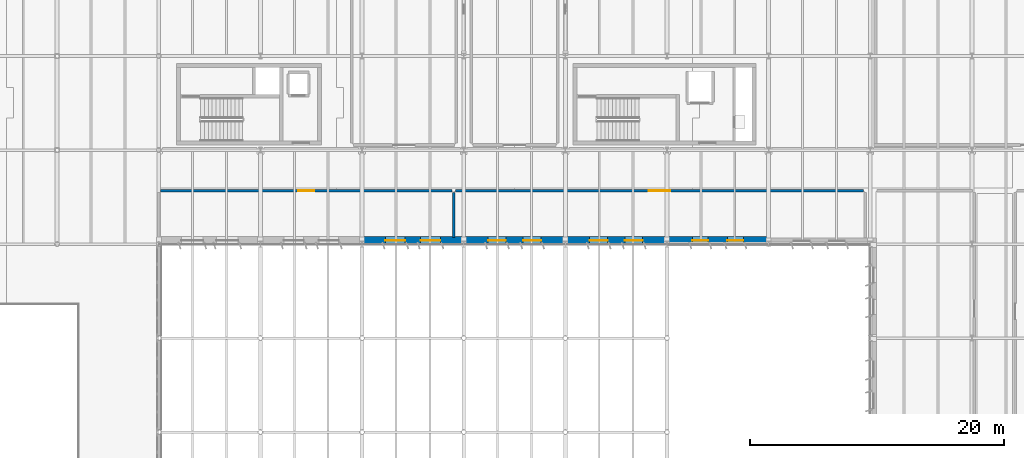
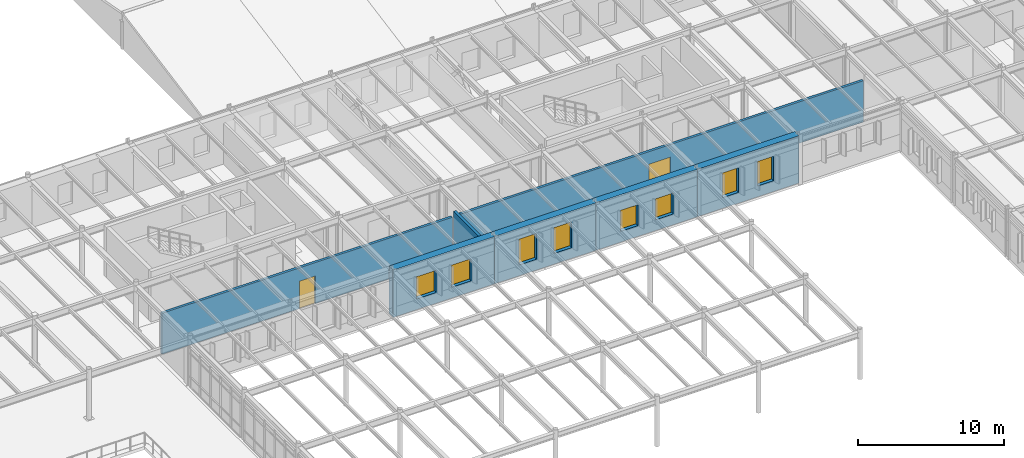
# One storey, part 42 of 63: 8 windows, 7 walls, 2 doors, 10 openings.
"""IFC4 building model written with IfcOpenShell, lengths in metres."""

from ifc_helpers import new_model, si_unit, direction, frame, frame_2d, origin, place, context, subcontext, project, spatial, rectangle, extrude, material, layer, layer_set, type_object, element, fill, save


model = new_model("IFC4")

# Units and contexts
model_context = context("Model", 3, precision=1e-05, world=origin(), true_north=direction((0.0, 1.0)))
body_context = subcontext(model_context, "Body", "Model", "MODEL_VIEW")
ifc_project = project(units=[si_unit("LENGTHUNIT", "METRE"), si_unit("AREAUNIT", "SQUARE_METRE"), si_unit("VOLUMEUNIT", "CUBIC_METRE"), si_unit("PLANEANGLEUNIT", "RADIAN"), si_unit("MASSUNIT", "GRAM", prefix="KILO")], contexts=[model_context])

# Site, building, storey
site_placement = place(None, origin())
site = spatial("IfcSite", under=ifc_project, at=site_placement, CompositionType="ELEMENT")
building_placement = place(site_placement, origin())
building = spatial("IfcBuilding", under=site, at=building_placement, Name="Valkorina Park Police Headquarters", CompositionType="ELEMENT")
storey_placement = place(building_placement, frame((0.0, 0.0, 9.89990234375)))
storey = spatial("IfcBuildingStorey", under=building, at=storey_placement, Name="L03", CompositionType="ELEMENT", Elevation=9.89990234375)

# Wall, opening, door
ifc_material_1 = material(Name="Autoclaved aerated concrete masonry", Category="masonry")
ifc_layer_1 = layer(ifc_material_1, 0.199951171875)
ifc_layer_set_1 = layer_set([ifc_layer_1], Name="Autoclaved aerated concrete masonry")
wall_type_1 = type_object("IfcWallType", Name="WL-CORR-200-EI60", PredefinedType="STANDARD", material=ifc_layer_set_1)
wall_1_placement = place(storey_placement, frame((80.93994140625, 63.39990234375, 0.0), z_axis=(0.0, 0.0, 1.0), x_axis=(1.0, 0.0, 0.0)))
wall_1 = element("IfcWall", 1, at=wall_1_placement, inside=storey, type_object=wall_type_1, Name="L03 Interior Partition 0170 (L03-TEL-01)", PredefinedType="STANDARD", context=body_context, shape_type="SweptSolid", body=[
    extrude(rectangle(XDim=22.920166015625, YDim=0.199951171875, at=frame_2d((11.4599609375, 0.0))), origin(), (0.0, 0.0, 1.0), 3.41015625),
])
opening_1_placement = place(wall_1_placement, frame((10.8349609375, 0.0, 0.0)))
opening_1 = element("IfcOpeningElement", 2, at=opening_1_placement, cuts=wall_1, Name="Opening FD-06", PredefinedType="OPENING", context=body_context, shape_type="SweptSolid", body=[
    extrude(rectangle(XDim=1.25, YDim=2.300048828125, at=frame_2d((0.625, 1.14990234375))), frame((0.0, 0.10986328125, 0.0), z_axis=(0.0, -1.0, 0.0), x_axis=(1.0, 0.0, 0.0)), (0.0, 0.0, 1.0), 0.219970703125),
])
ifc_material_2 = material(Name="Galvanized steel door leaf", Category="steel")
ifc_layer_2 = layer(ifc_material_2, 0.050048828125)
ifc_layer_set_2 = layer_set([ifc_layer_2], Name="Galvanized steel door leaf")
door_type_1 = type_object("IfcDoorType", Name="DR-FIRE-LAB-1250x2300", OperationType="NOTDEFINED", PredefinedType="DOOR", material=ifc_layer_set_2)
door_1_placement = place(opening_1_placement, origin())
door_1 = element("IfcDoor", 3, at=door_1_placement, inside=storey, type_object=door_type_1, Name="Door D-L03-I080 (L03-TEL-01)", OperationType="SINGLE_SWING_LEFT", OverallHeight=2.300048828125, OverallWidth=1.25, PredefinedType="DOOR", context=body_context, shape_type="SweptSolid", body=[
    extrude(rectangle(XDim=1.25, YDim=2.300048828125, at=frame_2d((0.625, 1.14990234375))), frame((0.0, 0.02490234375, 0.0), z_axis=(0.0, -1.0, 0.0), x_axis=(1.0, 0.0, 0.0)), (0.0, 0.0, 1.0), 0.050048828125),
])
fill(opening_1, door_1)

# Wall
wall_2_placement = place(storey_placement, frame((104.0, 59.739990234375, 0.0), z_axis=(0.0, 0.0, 1.0), x_axis=(0.0, 1.0, 0.0)))
element("IfcWall", 4, at=wall_2_placement, inside=storey, type_object=wall_type_1, Name="L03 Interior Partition 0172 (L03-TEL-01)", PredefinedType="STANDARD", context=body_context, shape_type="SweptSolid", body=[
    extrude(rectangle(XDim=3.52001953125, YDim=0.199951171875, at=frame_2d((1.760009765625, 0.0))), origin(), (0.0, 0.0, 1.0), 3.920166015625),
])

# Wall, opening, door
wall_3_placement = place(storey_placement, frame((104.139892578125, 63.39990234375, 0.0), z_axis=(0.0, 0.0, 1.0), x_axis=(1.0, 0.0, 0.0)))
wall_3 = element("IfcWall", 5, at=wall_3_placement, inside=storey, type_object=wall_type_1, Name="L03 Interior Partition 0173 (L03-TEL-02)", PredefinedType="STANDARD", context=body_context, shape_type="SweptSolid", body=[
    extrude(rectangle(XDim=32.1201171875, YDim=0.199951171875, at=frame_2d((16.06005859375, 0.0))), origin(), (0.0, 0.0, 1.0), 3.445068359375),
])
opening_2_placement = place(wall_3_placement, frame((15.2099609375, 0.0, 0.0)))
opening_2 = element("IfcOpeningElement", 6, at=opening_2_placement, cuts=wall_3, Name="Opening FD-08", PredefinedType="OPENING", context=body_context, shape_type="SweptSolid", body=[
    extrude(rectangle(XDim=1.699951171875, YDim=2.39990234375, at=frame_2d((0.85009765625, 1.199951171875))), frame((0.0, 0.10986328125, 0.0), z_axis=(0.0, -1.0, 0.0), x_axis=(1.0, 0.0, 0.0)), (0.0, 0.0, 1.0), 0.219970703125),
])
ifc_layer_3 = layer(ifc_material_2, 0.050048828125)
ifc_layer_set_3 = layer_set([ifc_layer_3], Name="Galvanized steel door leaf")
door_type_2 = type_object("IfcDoorType", Name="DR-FIRE-PLANT-1700x2400", OperationType="NOTDEFINED", PredefinedType="DOOR", material=ifc_layer_set_3)
door_2_placement = place(opening_2_placement, origin())
door_2 = element("IfcDoor", 7, at=door_2_placement, inside=storey, type_object=door_type_2, Name="Door D-L03-I081 (L03-TEL-02)", OperationType="DOUBLE_DOOR_SINGLE_SWING", OverallHeight=2.39990234375, OverallWidth=1.699951171875, PredefinedType="DOOR", context=body_context, shape_type="SweptSolid", body=[
    extrude(rectangle(XDim=1.699951171875, YDim=2.39990234375, at=frame_2d((0.85009765625, 1.199951171875))), frame((0.0, 0.02490234375, 0.0), z_axis=(0.0, -1.0, 0.0), x_axis=(1.0, 0.0, 0.0)), (0.0, 0.0, 1.0), 0.050048828125),
])
fill(opening_2, door_2)

# Wall, openings, windows
ifc_material_3 = material(Name="Concrete C35/45", Category="concrete")
ifc_layer_4 = layer(ifc_material_3, 0.580078125)
ifc_layer_set_4 = layer_set([ifc_layer_4], Name="Concrete C35/45")
wall_type_2 = type_object("IfcWallType", Name="WL-EXT-BOARD-580", PredefinedType="STANDARD", material=ifc_layer_set_4)
wall_4_placement = place(storey_placement, frame((128.800048828125, 59.489990234375, 0.0), z_axis=(0.0, 0.0, 1.0), x_axis=(-1.0, 0.0, 0.0)))
wall_4 = element("IfcWall", 8, at=wall_4_placement, inside=storey, type_object=wall_type_2, Name="L03 Architectural Concrete Exterior Wall 0219", PredefinedType="STANDARD", context=body_context, shape_type="SweptSolid", body=[
    extrude(rectangle(XDim=8.0, YDim=0.580078125, at=frame_2d((4.0, 0.0))), origin(), (0.0, 0.0, 1.0), 3.955078125),
])
opening_3_placement = place(wall_4_placement, frame((1.99267578125, 0.0, 0.89990234375)))
opening_3 = element("IfcOpeningElement", 9, at=opening_3_placement, cuts=wall_4, Name="Opening WN-22", PredefinedType="OPENING", context=body_context, shape_type="SweptSolid", body=[
    extrude(rectangle(XDim=1.25, YDim=2.050048828125, at=frame_2d((0.625, 1.02490234375))), frame((0.0, 0.300048828125, 0.0), z_axis=(0.0, -1.0, 0.0), x_axis=(1.0, 0.0, 0.0)), (0.0, 0.0, 1.0), 0.60009765625),
])
opening_4_placement = place(wall_4_placement, frame((4.75732421875, 0.0, 0.89990234375)))
opening_4 = element("IfcOpeningElement", 10, at=opening_4_placement, cuts=wall_4, Name="Opening WN-22", PredefinedType="OPENING", context=body_context, shape_type="SweptSolid", body=[
    extrude(rectangle(XDim=1.25, YDim=2.050048828125, at=frame_2d((0.625, 1.02490234375))), frame((0.0, 0.300048828125, 0.0), z_axis=(0.0, -1.0, 0.0), x_axis=(1.0, 0.0, 0.0)), (0.0, 0.0, 1.0), 0.60009765625),
])
ifc_material_4 = material(Name="Triple low-E insulated glazing", Category="glass")
ifc_layer_5 = layer(ifc_material_4, 0.06005859375)
ifc_layer_set_5 = layer_set([ifc_layer_5], Name="Triple low-E insulated glazing")
window_type_1 = type_object("IfcWindowType", Name="WN-LAB-1250x2050", PartitioningType="SINGLE_PANEL", PredefinedType="WINDOW", material=ifc_layer_set_5)
window_1_placement = place(opening_3_placement, origin())
window_1 = element("IfcWindow", 11, at=window_1_placement, inside=storey, type_object=window_type_1, Name="Window L03-0370", OverallHeight=2.050048828125, OverallWidth=1.25, PartitioningType="SINGLE_PANEL", PredefinedType="WINDOW", context=body_context, shape_type="SweptSolid", body=[
    extrude(rectangle(XDim=1.25, YDim=2.050048828125, at=frame_2d((0.625, 1.02490234375))), frame((0.0, 0.030029296875, 0.0), z_axis=(0.0, -1.0, 0.0), x_axis=(1.0, 0.0, 0.0)), (0.0, 0.0, 1.0), 0.06005859375),
])
fill(opening_3, window_1)
window_2_placement = place(opening_4_placement, origin())
window_2 = element("IfcWindow", 12, at=window_2_placement, inside=storey, type_object=window_type_1, Name="Window L03-0371", OverallHeight=2.050048828125, OverallWidth=1.25, PartitioningType="SINGLE_PANEL", PredefinedType="WINDOW", context=body_context, shape_type="SweptSolid", body=[
    extrude(rectangle(XDim=1.25, YDim=2.050048828125, at=frame_2d((0.625, 1.02490234375))), frame((0.0, 0.030029296875, 0.0), z_axis=(0.0, -1.0, 0.0), x_axis=(1.0, 0.0, 0.0)), (0.0, 0.0, 1.0), 0.06005859375),
])
fill(opening_4, window_2)

wall_5_placement = place(storey_placement, frame((120.800048828125, 59.489990234375, 0.0), z_axis=(0.0, 0.0, 1.0), x_axis=(-1.0, 0.0, 0.0)))
wall_5 = element("IfcWall", 13, at=wall_5_placement, inside=storey, type_object=wall_type_2, Name="L03 Architectural Concrete Exterior Wall 0220", PredefinedType="STANDARD", context=body_context, shape_type="SweptSolid", body=[
    extrude(rectangle(XDim=8.0, YDim=0.580078125, at=frame_2d((4.0, 0.0))), origin(), (0.0, 0.0, 1.0), 3.955078125),
])
opening_5_placement = place(wall_5_placement, frame((1.91748046875, 0.0, 0.89990234375)))
opening_5 = element("IfcOpeningElement", 14, at=opening_5_placement, cuts=wall_5, Name="Opening WN-24", PredefinedType="OPENING", context=body_context, shape_type="SweptSolid", body=[
    extrude(rectangle(XDim=1.39990234375, YDim=1.75, at=frame_2d((0.699951171875, 0.875))), frame((0.0, 0.300048828125, 0.0), z_axis=(0.0, -1.0, 0.0), x_axis=(1.0, 0.0, 0.0)), (0.0, 0.0, 1.0), 0.60009765625),
])
opening_6_placement = place(wall_5_placement, frame((4.682373046875, 0.0, 0.89990234375)))
opening_6 = element("IfcOpeningElement", 15, at=opening_6_placement, cuts=wall_5, Name="Opening WN-24", PredefinedType="OPENING", context=body_context, shape_type="SweptSolid", body=[
    extrude(rectangle(XDim=1.39990234375, YDim=1.75, at=frame_2d((0.699951171875, 0.875))), frame((0.0, 0.300048828125, 0.0), z_axis=(0.0, -1.0, 0.0), x_axis=(1.0, 0.0, 0.0)), (0.0, 0.0, 1.0), 0.60009765625),
])
ifc_layer_6 = layer(ifc_material_4, 0.06005859375)
ifc_layer_set_6 = layer_set([ifc_layer_6], Name="Triple low-E insulated glazing")
window_type_2 = type_object("IfcWindowType", Name="WN-LAB-1400x1750", PartitioningType="SINGLE_PANEL", PredefinedType="WINDOW", material=ifc_layer_set_6)
window_3_placement = place(opening_5_placement, origin())
window_3 = element("IfcWindow", 16, at=window_3_placement, inside=storey, type_object=window_type_2, Name="Window L03-0372", OverallHeight=1.75, OverallWidth=1.39990234375, PartitioningType="SINGLE_PANEL", PredefinedType="WINDOW", context=body_context, shape_type="SweptSolid", body=[
    extrude(rectangle(XDim=1.39990234375, YDim=1.75, at=frame_2d((0.699951171875, 0.875))), frame((0.0, 0.030029296875, 0.0), z_axis=(0.0, -1.0, 0.0), x_axis=(1.0, 0.0, 0.0)), (0.0, 0.0, 1.0), 0.06005859375),
])
fill(opening_5, window_3)
window_4_placement = place(opening_6_placement, origin())
window_4 = element("IfcWindow", 17, at=window_4_placement, inside=storey, type_object=window_type_2, Name="Window L03-0373", OverallHeight=1.75, OverallWidth=1.39990234375, PartitioningType="SINGLE_PANEL", PredefinedType="WINDOW", context=body_context, shape_type="SweptSolid", body=[
    extrude(rectangle(XDim=1.39990234375, YDim=1.75, at=frame_2d((0.699951171875, 0.875))), frame((0.0, 0.030029296875, 0.0), z_axis=(0.0, -1.0, 0.0), x_axis=(1.0, 0.0, 0.0)), (0.0, 0.0, 1.0), 0.06005859375),
])
fill(opening_6, window_4)

wall_6_placement = place(storey_placement, frame((112.800048828125, 59.489990234375, 0.0), z_axis=(0.0, 0.0, 1.0), x_axis=(-1.0, 0.0, 0.0)))
wall_6 = element("IfcWall", 18, at=wall_6_placement, inside=storey, type_object=wall_type_2, Name="L03 Architectural Concrete Exterior Wall 0221", PredefinedType="STANDARD", context=body_context, shape_type="SweptSolid", body=[
    extrude(rectangle(XDim=8.0, YDim=0.580078125, at=frame_2d((4.0, 0.0))), origin(), (0.0, 0.0, 1.0), 3.955078125),
])
opening_7_placement = place(wall_6_placement, frame((1.91748046875, 0.0, 0.89990234375)))
opening_7 = element("IfcOpeningElement", 19, at=opening_7_placement, cuts=wall_6, Name="Opening WN-25", PredefinedType="OPENING", context=body_context, shape_type="SweptSolid", body=[
    extrude(rectangle(XDim=1.39990234375, YDim=2.14990234375, at=frame_2d((0.699951171875, 1.074951171875))), frame((0.0, 0.300048828125, 0.0), z_axis=(0.0, -1.0, 0.0), x_axis=(1.0, 0.0, 0.0)), (0.0, 0.0, 1.0), 0.60009765625),
])
opening_8_placement = place(wall_6_placement, frame((4.682373046875, 0.0, 0.89990234375)))
opening_8 = element("IfcOpeningElement", 20, at=opening_8_placement, cuts=wall_6, Name="Opening WN-25", PredefinedType="OPENING", context=body_context, shape_type="SweptSolid", body=[
    extrude(rectangle(XDim=1.39990234375, YDim=2.14990234375, at=frame_2d((0.699951171875, 1.074951171875))), frame((0.0, 0.300048828125, 0.0), z_axis=(0.0, -1.0, 0.0), x_axis=(1.0, 0.0, 0.0)), (0.0, 0.0, 1.0), 0.60009765625),
])
ifc_layer_7 = layer(ifc_material_4, 0.06005859375)
ifc_layer_set_7 = layer_set([ifc_layer_7], Name="Triple low-E insulated glazing")
window_type_3 = type_object("IfcWindowType", Name="WN-LAB-1400x2150", PartitioningType="SINGLE_PANEL", PredefinedType="WINDOW", material=ifc_layer_set_7)
window_5_placement = place(opening_7_placement, origin())
window_5 = element("IfcWindow", 21, at=window_5_placement, inside=storey, type_object=window_type_3, Name="Window L03-0374", OverallHeight=2.14990234375, OverallWidth=1.39990234375, PartitioningType="SINGLE_PANEL", PredefinedType="WINDOW", context=body_context, shape_type="SweptSolid", body=[
    extrude(rectangle(XDim=1.39990234375, YDim=2.14990234375, at=frame_2d((0.699951171875, 1.074951171875))), frame((0.0, 0.030029296875, 0.0), z_axis=(0.0, -1.0, 0.0), x_axis=(1.0, 0.0, 0.0)), (0.0, 0.0, 1.0), 0.06005859375),
])
fill(opening_7, window_5)
window_6_placement = place(opening_8_placement, origin())
window_6 = element("IfcWindow", 22, at=window_6_placement, inside=storey, type_object=window_type_3, Name="Window L03-0375", OverallHeight=2.14990234375, OverallWidth=1.39990234375, PartitioningType="SINGLE_PANEL", PredefinedType="WINDOW", context=body_context, shape_type="SweptSolid", body=[
    extrude(rectangle(XDim=1.39990234375, YDim=2.14990234375, at=frame_2d((0.699951171875, 1.074951171875))), frame((0.0, 0.030029296875, 0.0), z_axis=(0.0, -1.0, 0.0), x_axis=(1.0, 0.0, 0.0)), (0.0, 0.0, 1.0), 0.06005859375),
])
fill(opening_8, window_6)

wall_7_placement = place(storey_placement, frame((104.800048828125, 59.489990234375, 0.0), z_axis=(0.0, 0.0, 1.0), x_axis=(-1.0, 0.0, 0.0)))
wall_7 = element("IfcWall", 23, at=wall_7_placement, inside=storey, type_object=wall_type_2, Name="L03 Architectural Concrete Exterior Wall 0222", PredefinedType="STANDARD", context=body_context, shape_type="SweptSolid", body=[
    extrude(rectangle(XDim=8.0, YDim=0.580078125, at=frame_2d((4.0, 0.0))), origin(), (0.0, 0.0, 1.0), 3.955078125),
])
opening_9_placement = place(wall_7_placement, frame((1.842529296875, 0.0, 0.89990234375)))
opening_9 = element("IfcOpeningElement", 24, at=opening_9_placement, cuts=wall_7, Name="Opening WN-26", PredefinedType="OPENING", context=body_context, shape_type="SweptSolid", body=[
    extrude(rectangle(XDim=1.550048828125, YDim=1.85009765625, at=frame_2d((0.77490234375, 0.925048828125))), frame((0.0, 0.300048828125, 0.0), z_axis=(0.0, -1.0, 0.0), x_axis=(1.0, 0.0, 0.0)), (0.0, 0.0, 1.0), 0.60009765625),
])
opening_10_placement = place(wall_7_placement, frame((4.607421875, 0.0, 0.89990234375)))
opening_10 = element("IfcOpeningElement", 25, at=opening_10_placement, cuts=wall_7, Name="Opening WN-26", PredefinedType="OPENING", context=body_context, shape_type="SweptSolid", body=[
    extrude(rectangle(XDim=1.550048828125, YDim=1.85009765625, at=frame_2d((0.77490234375, 0.925048828125))), frame((0.0, 0.300048828125, 0.0), z_axis=(0.0, -1.0, 0.0), x_axis=(1.0, 0.0, 0.0)), (0.0, 0.0, 1.0), 0.60009765625),
])
ifc_layer_8 = layer(ifc_material_4, 0.06005859375)
ifc_layer_set_8 = layer_set([ifc_layer_8], Name="Triple low-E insulated glazing")
window_type_4 = type_object("IfcWindowType", Name="WN-COURT-1550x1850", PartitioningType="SINGLE_PANEL", PredefinedType="WINDOW", material=ifc_layer_set_8)
window_7_placement = place(opening_9_placement, origin())
window_7 = element("IfcWindow", 26, at=window_7_placement, inside=storey, type_object=window_type_4, Name="Window L03-0376", OverallHeight=1.85009765625, OverallWidth=1.550048828125, PartitioningType="SINGLE_PANEL", PredefinedType="WINDOW", context=body_context, shape_type="SweptSolid", body=[
    extrude(rectangle(XDim=1.550048828125, YDim=1.85009765625, at=frame_2d((0.77490234375, 0.925048828125))), frame((0.0, 0.030029296875, 0.0), z_axis=(0.0, -1.0, 0.0), x_axis=(1.0, 0.0, 0.0)), (0.0, 0.0, 1.0), 0.06005859375),
])
fill(opening_9, window_7)
window_8_placement = place(opening_10_placement, origin())
window_8 = element("IfcWindow", 27, at=window_8_placement, inside=storey, type_object=window_type_4, Name="Window L03-0377", OverallHeight=1.85009765625, OverallWidth=1.550048828125, PartitioningType="SINGLE_PANEL", PredefinedType="WINDOW", context=body_context, shape_type="SweptSolid", body=[
    extrude(rectangle(XDim=1.550048828125, YDim=1.85009765625, at=frame_2d((0.77490234375, 0.925048828125))), frame((0.0, 0.030029296875, 0.0), z_axis=(0.0, -1.0, 0.0), x_axis=(1.0, 0.0, 0.0)), (0.0, 0.0, 1.0), 0.06005859375),
])
fill(opening_10, window_8)

save(model, "model.ifc")
